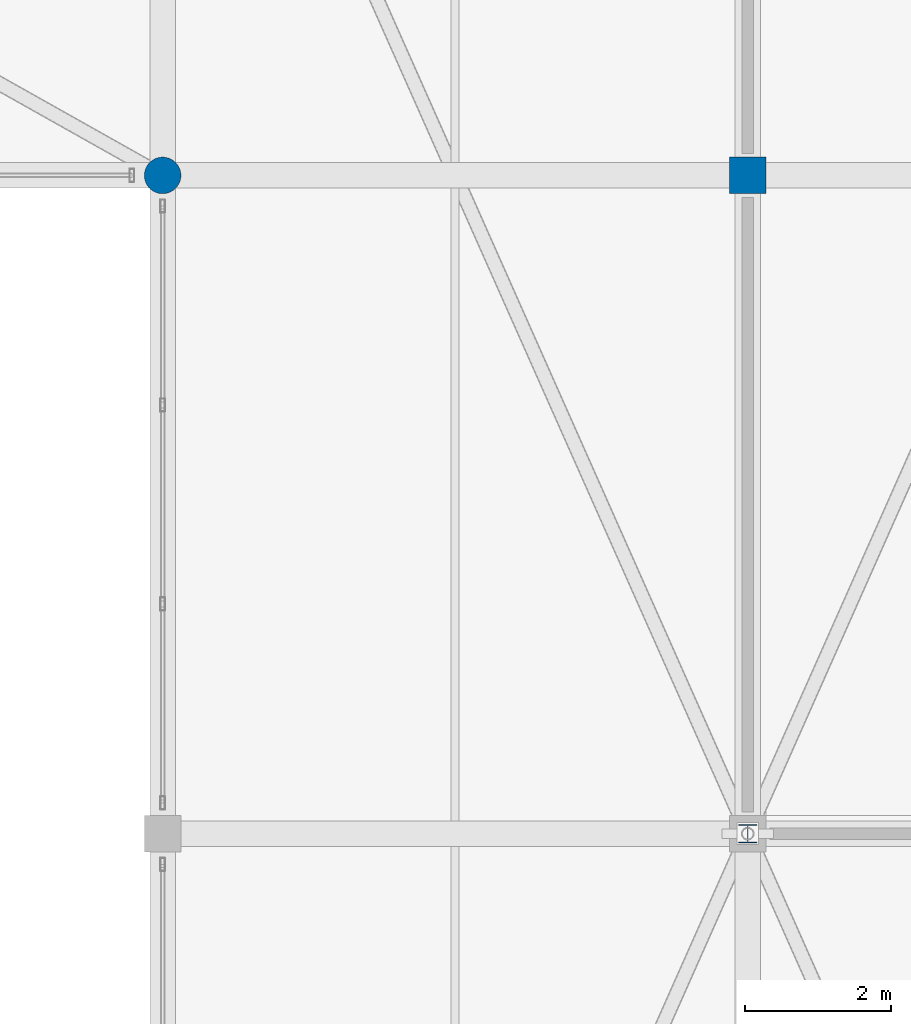
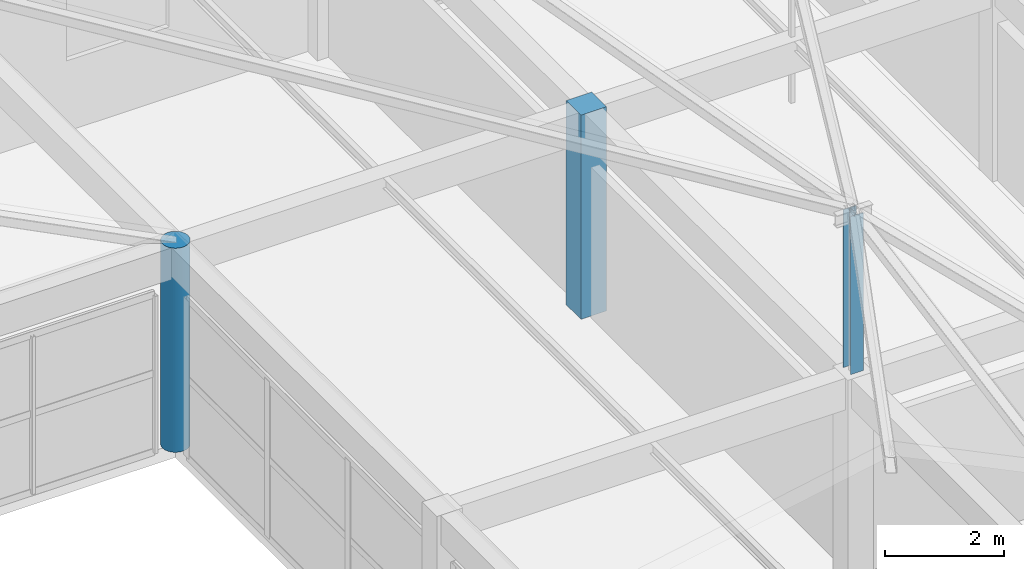
# One storey, part 8 of 65: 3 columns.
"""IFC4 building model written with IfcOpenShell, lengths in metres."""

from ifc_helpers import new_model, si_unit, direction, frame, origin, origin_2d, place, context, subcontext, project, spatial, rectangle, circle, i_section, extrude, material, material_profile, profile_set, type_object, element, save


model = new_model("IFC4")

# Units and contexts
model_context = context("Model", 3, precision=1e-05, world=origin(), true_north=direction((0.0, 1.0)))
body_context = subcontext(model_context, "Body", "Model", "MODEL_VIEW")
ifc_project = project(units=[si_unit("LENGTHUNIT", "METRE"), si_unit("AREAUNIT", "SQUARE_METRE"), si_unit("VOLUMEUNIT", "CUBIC_METRE"), si_unit("PLANEANGLEUNIT", "RADIAN"), si_unit("MASSUNIT", "GRAM", prefix="KILO")], contexts=[model_context])

# Site, building, storey
site_placement = place(None, origin())
site = spatial("IfcSite", under=ifc_project, at=site_placement, CompositionType="ELEMENT")
building_placement = place(site_placement, origin())
building = spatial("IfcBuilding", under=site, at=building_placement, Name="Varnabhumi Central Station", CompositionType="ELEMENT")
storey_placement = place(building_placement, frame((0.0, 0.0, 24.60009765625)))
storey = spatial("IfcBuildingStorey", under=building, at=storey_placement, Name="L05", CompositionType="ELEMENT", Elevation=24.60009765625)

# Columns
ifc_material_1 = material(Name="Concrete M40", Category="concrete")
ifc_material_profile_1 = material_profile(ifc_material_1, circle(Radius=0.25, at=origin_2d()), Name="Concrete M40", Category="concrete")
ifc_profile_set_1 = profile_set([ifc_material_profile_1], Name="Concrete M40")
column_type_1 = type_object("IfcColumnType", Name="COL-RC-D500", PredefinedType="COLUMN", material=ifc_profile_set_1)
column_1_placement = place(storey_placement, frame((144.0, 27.0, 0.0), z_axis=(0.0, 0.0, 1.0), x_axis=(1.0, 0.0, 0.0)))
element("IfcColumn", 1, at=column_1_placement, inside=storey, type_object=column_type_1, Name="Column L05-19D", PredefinedType="COLUMN", context=body_context, shape_type="SweptSolid", body=[
    extrude(circle(Radius=0.25, at=origin_2d()), origin(), (0.0, 0.0, 1.0), 4.199951171875),
])
ifc_material_2 = material(Name="Structural steel E350", Category="steel")
ifc_material_profile_2 = material_profile(ifc_material_2, i_section(OverallWidth=0.25, OverallDepth=0.25, WebThickness=0.0087890625, FlangeThickness=0.009765625, FilletRadius=0.010009765625, at=origin_2d()), Name="Structural steel E350", Category="steel")
ifc_profile_set_2 = profile_set([ifc_material_profile_2], Name="Structural steel E350")
column_type_2 = type_object("IfcColumnType", Name="COL-STL-ISHB250", PredefinedType="COLUMN", material=ifc_profile_set_2)
column_2_placement = place(storey_placement, frame((152.0, 18.0, 4.199951171875), z_axis=(0.0, 0.0, 1.0), x_axis=(1.0, 0.0, 0.0)))
element("IfcColumn", 2, at=column_2_placement, inside=storey, type_object=column_type_2, Name="Roof Ridge King-Post SW6W-2", PredefinedType="COLUMN", context=body_context, shape_type="SweptSolid", body=[
    extrude(i_section(OverallWidth=0.25, OverallDepth=0.25, WebThickness=0.0087890625, FlangeThickness=0.009765625, FilletRadius=0.010009765625, at=origin_2d()), origin(), (0.0, 0.0, 1.0), 3.25),
])
ifc_material_profile_3 = material_profile(ifc_material_1, rectangle(XDim=0.5, YDim=0.5, at=origin_2d()), Name="Concrete M40", Category="concrete")
ifc_profile_set_3 = profile_set([ifc_material_profile_3], Name="Concrete M40")
column_type_3 = type_object("IfcColumnType", Name="COL-UPPER-500", PredefinedType="COLUMN", material=ifc_profile_set_3)
column_3_placement = place(storey_placement, frame((152.0, 27.0, 0.0), z_axis=(0.0, 0.0, 1.0), x_axis=(1.0, 0.0, 0.0)))
element("IfcColumn", 3, at=column_3_placement, inside=storey, type_object=column_type_3, Name="Column L05-20D", PredefinedType="COLUMN", context=body_context, shape_type="SweptSolid", body=[
    extrude(rectangle(XDim=0.5, YDim=0.5, at=origin_2d()), origin(), (0.0, 0.0, 1.0), 4.199951171875),
])

save(model, "model.ifc")
